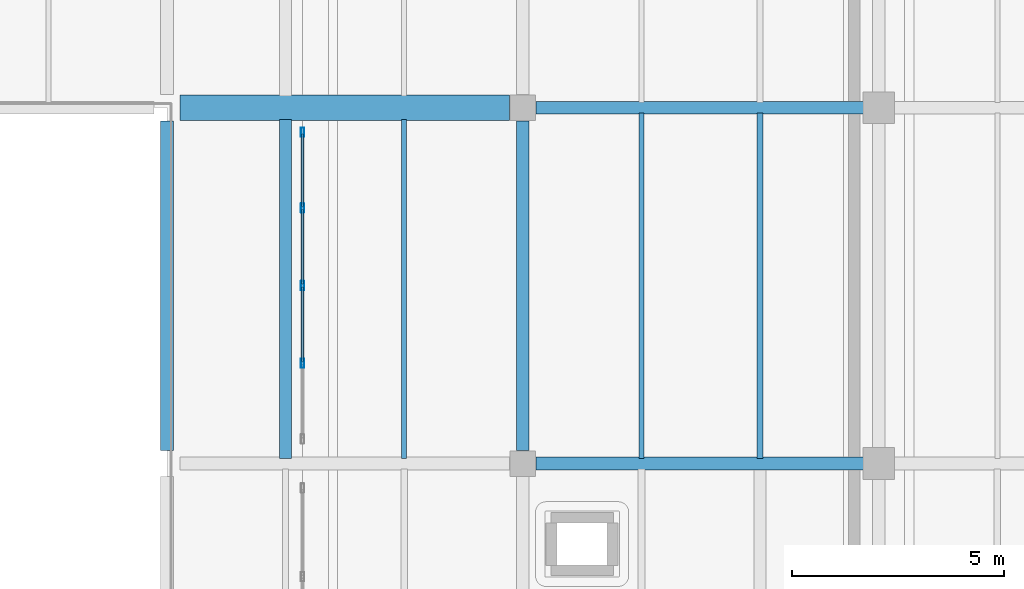
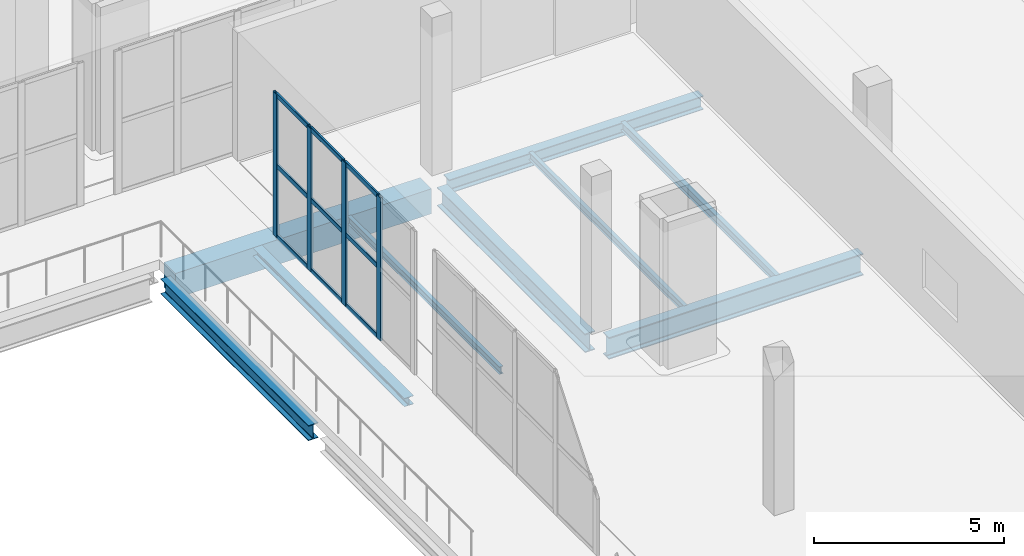
# One storey, part 31 of 77: 13 members, 9 beams, 1 element without a shape of its own.
"""IFC4 building model written with IfcOpenShell, lengths in metres."""

from ifc_helpers import new_model, si_unit, direction, frame, origin, origin_2d, place, context, subcontext, project, spatial, rectangle, hollow_rectangle, i_section, extrude, material, layer, layer_set, material_profile, profile_set, type_object, element, aggregate, save


model = new_model("IFC4")

# Units and contexts
model_context = context("Model", 3, precision=1e-05, world=origin(), true_north=direction((0.0, 1.0)))
body_context = subcontext(model_context, "Body", "Model", "MODEL_VIEW")
ifc_project = project(units=[si_unit("LENGTHUNIT", "METRE"), si_unit("AREAUNIT", "SQUARE_METRE"), si_unit("VOLUMEUNIT", "CUBIC_METRE"), si_unit("PLANEANGLEUNIT", "RADIAN"), si_unit("MASSUNIT", "GRAM", prefix="KILO")], contexts=[model_context])

# Site, building, storey
site_placement = place(None, origin())
site = spatial("IfcSite", under=ifc_project, at=site_placement, CompositionType="ELEMENT")
building_placement = place(site_placement, origin())
building = spatial("IfcBuilding", under=site, at=building_placement, Name="Zulmaris Art Gallery", CompositionType="ELEMENT")
storey_placement = place(building_placement, frame((0.0, 0.0, 15.60009765625)))
storey = spatial("IfcBuildingStorey", under=building, at=storey_placement, Name="L03", CompositionType="ELEMENT", Elevation=15.60009765625)

# Beams
ifc_material_1 = material(Name="Steel S355J2", Category="steel")
ifc_material_profile_1 = material_profile(ifc_material_1, i_section(OverallWidth=0.300048828125, OverallDepth=0.43994140625, WebThickness=0.011474609375, FlangeThickness=0.02099609375, FilletRadius=0.027099609375, at=origin_2d()), Name="HEA 450")
ifc_profile_set_1 = profile_set([ifc_material_profile_1], Name="Steel S355J2")
beam_type_1 = type_object("IfcBeamType", Name="BEAM-BM10", PredefinedType="BEAM", material=ifc_profile_set_1)
beam_1_placement = place(storey_placement, frame((133.510009765625, 58.800048828125, -0.6201171875), z_axis=(1.0, 0.0, 0.0), x_axis=(0.0, 1.0, 0.0)))
element("IfcBeam", 1, at=beam_1_placement, inside=storey, type_object=beam_type_1, Name="L03 X-girder (133.2..141.6, y=58.8)", PredefinedType="BEAM", context=body_context, shape_type="SweptSolid", body=[
    extrude(i_section(OverallWidth=0.300048828125, OverallDepth=0.43994140625, WebThickness=0.011474609375, FlangeThickness=0.02099609375, FilletRadius=0.027099609375, at=origin_2d()), origin(), (0.0, 0.0, 1.0), 7.72998046875),
])
ifc_material_profile_2 = material_profile(ifc_material_1, i_section(OverallWidth=0.300048828125, OverallDepth=0.489990234375, WebThickness=0.011962890625, FlangeThickness=0.02294921875, FilletRadius=0.027099609375, at=origin_2d()), Name="HEA 500")
ifc_profile_set_2 = profile_set([ifc_material_profile_2], Name="Steel S355J2")
beam_type_2 = type_object("IfcBeamType", Name="BEAM-BM11", PredefinedType="BEAM", material=ifc_profile_set_2)
beam_2_placement = place(storey_placement, frame((124.800048828125, 50.7099609375, -0.614990234375), z_axis=(0.0, 1.0, 0.0), x_axis=(-1.0, 0.0, 0.0)))
element("IfcBeam", 2, at=beam_2_placement, inside=storey, type_object=beam_type_2, Name="L03 Y-girder (x=124.8, 50.4..58.8)", PredefinedType="BEAM", context=body_context, shape_type="SweptSolid", body=[
    extrude(i_section(OverallWidth=0.300048828125, OverallDepth=0.489990234375, WebThickness=0.011962890625, FlangeThickness=0.02294921875, FilletRadius=0.027099609375, at=origin_2d()), origin(), (0.0, 0.0, 1.0), 7.780029296875),
])
ifc_material_profile_3 = material_profile(ifc_material_1, i_section(OverallWidth=0.300048828125, OverallDepth=0.60009765625, WebThickness=0.015380859375, FlangeThickness=0.030029296875, FilletRadius=0.027099609375, at=origin_2d()), Name="HEB 600")
ifc_profile_set_3 = profile_set([ifc_material_profile_3], Name="Steel S355J2")
beam_type_3 = type_object("IfcBeamType", Name="BEAM-BM15", PredefinedType="BEAM", material=ifc_profile_set_3)
beam_3_placement = place(storey_placement, frame((133.199951171875, 50.7099609375, -0.670166015625), z_axis=(0.0, 1.0, 0.0), x_axis=(-1.0, 0.0, 0.0)))
element("IfcBeam", 3, at=beam_3_placement, inside=storey, type_object=beam_type_3, Name="L03 Y-girder (x=133.2, 50.4..58.8)", PredefinedType="BEAM", context=body_context, shape_type="SweptSolid", body=[
    extrude(i_section(OverallWidth=0.300048828125, OverallDepth=0.60009765625, WebThickness=0.015380859375, FlangeThickness=0.030029296875, FilletRadius=0.027099609375, at=origin_2d()), origin(), (0.0, 0.0, 1.0), 7.780029296875),
])
ifc_material_profile_4 = material_profile(ifc_material_1, i_section(OverallWidth=0.300048828125, OverallDepth=0.699951171875, WebThickness=0.01708984375, FlangeThickness=0.031982421875, FilletRadius=0.027099609375, at=origin_2d()), Name="HEB 700")
ifc_profile_set_4 = profile_set([ifc_material_profile_4], Name="Steel S355J2")
beam_type_4 = type_object("IfcBeamType", Name="BEAM-BM16", PredefinedType="BEAM", material=ifc_profile_set_4)
beam_4_placement = place(storey_placement, frame((133.510009765625, 50.39990234375, -0.72021484375), z_axis=(1.0, 0.0, 0.0), x_axis=(0.0, 1.0, 0.0)))
element("IfcBeam", 4, at=beam_4_placement, inside=storey, type_object=beam_type_4, Name="L03 X-girder (133.2..141.6, y=50.4)", PredefinedType="BEAM", context=body_context, shape_type="SweptSolid", body=[
    extrude(i_section(OverallWidth=0.300048828125, OverallDepth=0.699951171875, WebThickness=0.01708984375, FlangeThickness=0.031982421875, FilletRadius=0.027099609375, at=origin_2d()), origin(), (0.0, 0.0, 1.0), 7.72998046875),
])
ifc_material_2 = material(Name="Concrete C40/50", Category="concrete")
ifc_material_profile_5 = material_profile(ifc_material_2, rectangle(XDim=0.60009765625, YDim=0.800048828125, at=origin_2d()), Name="RC 600x800")
ifc_profile_set_5 = profile_set([ifc_material_profile_5], Name="Concrete C40/50")
beam_type_5 = type_object("IfcBeamType", Name="BEAM-BM27", PredefinedType="BEAM", material=ifc_profile_set_5)
beam_5_placement = place(storey_placement, frame((125.110107421875, 58.800048828125, -0.77001953125), z_axis=(1.0, 0.0, 0.0), x_axis=(0.0, 1.0, 0.0)))
element("IfcBeam", 5, at=beam_5_placement, inside=storey, type_object=beam_type_5, Name="L03 X-girder (124.8..133.2, y=58.8)", PredefinedType="BEAM", context=body_context, shape_type="SweptSolid", body=[
    extrude(rectangle(XDim=0.60009765625, YDim=0.800048828125, at=origin_2d()), origin(), (0.0, 0.0, 1.0), 7.77978515625),
])
ifc_material_profile_6 = material_profile(ifc_material_1, i_section(OverallWidth=0.1201171875, OverallDepth=0.239990234375, WebThickness=0.006103515625, FlangeThickness=0.009765625, FilletRadius=0.014892578125, at=origin_2d()), Name="IPE 240")
ifc_profile_set_6 = profile_set([ifc_material_profile_6], Name="Steel S355J2")
beam_type_6 = type_object("IfcBeamType", Name="BEAM-JS01", PredefinedType="JOIST", material=ifc_profile_set_6)
beam_6_placement = place(storey_placement, frame((130.39990234375, 50.52490234375, -0.489990234375), z_axis=(0.0, 1.0, 0.0), x_axis=(-1.0, 0.0, 0.0)))
element("IfcBeam", 6, at=beam_6_placement, inside=storey, type_object=beam_type_6, Name="L03 secondary joist at x=130.4", PredefinedType="JOIST", context=body_context, shape_type="SweptSolid", body=[
    extrude(i_section(OverallWidth=0.1201171875, OverallDepth=0.239990234375, WebThickness=0.006103515625, FlangeThickness=0.009765625, FilletRadius=0.014892578125, at=origin_2d()), origin(), (0.0, 0.0, 1.0), 8.0),
])
beam_7_placement = place(storey_placement, frame((136.0, 50.52490234375, -0.489990234375), z_axis=(0.0, 1.0, 0.0), x_axis=(-1.0, 0.0, 0.0)))
element("IfcBeam", 7, at=beam_7_placement, inside=storey, type_object=beam_type_6, Name="L03 secondary joist at x=136.0", PredefinedType="JOIST", context=body_context, shape_type="SweptSolid", body=[
    extrude(i_section(OverallWidth=0.1201171875, OverallDepth=0.239990234375, WebThickness=0.006103515625, FlangeThickness=0.009765625, FilletRadius=0.014892578125, at=origin_2d()), origin(), (0.0, 0.0, 1.0), 8.150146484375),
])
ifc_material_profile_7 = material_profile(ifc_material_1, i_section(OverallWidth=0.135009765625, OverallDepth=0.27001953125, WebThickness=0.006591796875, FlangeThickness=0.01025390625, FilletRadius=0.014892578125, at=origin_2d()), Name="IPE 270")
ifc_profile_set_7 = profile_set([ifc_material_profile_7], Name="Steel S355J2")
beam_type_7 = type_object("IfcBeamType", Name="BEAM-JS02", PredefinedType="JOIST", material=ifc_profile_set_7)
beam_8_placement = place(storey_placement, frame((138.800048828125, 50.52490234375, -0.505126953125), z_axis=(0.0, 1.0, 0.0), x_axis=(-1.0, 0.0, 0.0)))
element("IfcBeam", 8, at=beam_8_placement, inside=storey, type_object=beam_type_7, Name="L03 secondary joist at x=138.8", PredefinedType="JOIST", context=body_context, shape_type="SweptSolid", body=[
    extrude(i_section(OverallWidth=0.135009765625, OverallDepth=0.27001953125, WebThickness=0.006591796875, FlangeThickness=0.01025390625, FilletRadius=0.014892578125, at=origin_2d()), origin(), (0.0, 0.0, 1.0), 8.150146484375),
])
ifc_material_profile_8 = material_profile(ifc_material_1, i_section(OverallWidth=0.280029296875, OverallDepth=0.27001953125, WebThickness=0.008056640625, FlangeThickness=0.012939453125, FilletRadius=0.02392578125, at=origin_2d()), Name="HEA 280")
ifc_profile_set_8 = profile_set([ifc_material_profile_8], Name="Steel S355J2")
beam_type_8 = type_object("IfcBeamType", Name="BEAM-JS04", PredefinedType="JOIST", material=ifc_profile_set_8)
beam_9_placement = place(storey_placement, frame((127.60009765625, 50.52490234375, -0.505126953125), z_axis=(0.0, 1.0, 0.0), x_axis=(-1.0, 0.0, 0.0)))
element("IfcBeam", 9, at=beam_9_placement, inside=storey, type_object=beam_type_8, Name="L03 secondary joist at x=127.6", PredefinedType="JOIST", context=body_context, shape_type="SweptSolid", body=[
    extrude(i_section(OverallWidth=0.280029296875, OverallDepth=0.27001953125, WebThickness=0.008056640625, FlangeThickness=0.012939453125, FilletRadius=0.02392578125, at=origin_2d()), origin(), (0.0, 0.0, 1.0), 8.0),
])

# Curtain wall, members
ifc_material_3 = material(Name="Unitised Low-E Gallery Curtain Wall", Category="aluminium")
ifc_layer = layer(ifc_material_3, 0.179931640625)
ifc_layer_set = layer_set([ifc_layer], Name="Unitised Low-E Gallery Curtain Wall")
curtain_wall_type = type_object("IfcCurtainWallType", Name="CW-CW01", PredefinedType="NOTDEFINED", material=ifc_layer_set)
curtain_wall_placement = place(storey_placement, origin())
curtain_wall = element("IfcCurtainWall", 10, at=curtain_wall_placement, inside=storey, type_object=curtain_wall_type, Name="L03 curtain wall 122", PredefinedType="NOTDEFINED")
ifc_material_4 = material(Name="Anodised Bronze Aluminium", Category="aluminium")
ifc_material_profile_9 = material_profile(ifc_material_4, hollow_rectangle(XDim=0.074951171875, YDim=0.219970703125, WallThickness=0.0048828125, InnerFilletRadius=0.007568359375, OuterFilletRadius=0.012451171875, at=origin_2d()), Name="ALU 75x220x5")
ifc_profile_set_9 = profile_set([ifc_material_profile_9], Name="Anodised Bronze Aluminium")
member_type_1 = type_object("IfcMemberType", Name="CWMUL-02", PredefinedType="MULLION", material=ifc_profile_set_9)
member_1_placement = place(storey_placement, frame((128.0, 52.77001953125, 0.0), z_axis=(0.0, 0.0, 1.0), x_axis=(-1.0, 0.0, 0.0)))
member_1 = element("IfcMember", 11, at=member_1_placement, type_object=member_type_1, Name="CW01 mullion 2", PredefinedType="MULLION", context=body_context, shape_type="SweptSolid", body=[
    extrude(hollow_rectangle(XDim=0.074951171875, YDim=0.219970703125, WallThickness=0.0048828125, InnerFilletRadius=0.007568359375, OuterFilletRadius=0.012451171875, at=origin_2d()), origin(), (0.0, 0.0, 1.0), 4.599853515625),
])
member_2_placement = place(storey_placement, frame((128.0, 54.60009765625, 0.0), z_axis=(0.0, 0.0, 1.0), x_axis=(-1.0, 0.0, 0.0)))
member_2 = element("IfcMember", 12, at=member_2_placement, type_object=member_type_1, Name="CW01 mullion 3", PredefinedType="MULLION", context=body_context, shape_type="SweptSolid", body=[
    extrude(hollow_rectangle(XDim=0.074951171875, YDim=0.219970703125, WallThickness=0.0048828125, InnerFilletRadius=0.007568359375, OuterFilletRadius=0.012451171875, at=origin_2d()), origin(), (0.0, 0.0, 1.0), 4.599853515625),
])
member_3_placement = place(storey_placement, frame((128.0, 56.429931640625, 0.0), z_axis=(0.0, 0.0, 1.0), x_axis=(-1.0, 0.0, 0.0)))
member_3 = element("IfcMember", 13, at=member_3_placement, type_object=member_type_1, Name="CW01 mullion 4", PredefinedType="MULLION", context=body_context, shape_type="SweptSolid", body=[
    extrude(hollow_rectangle(XDim=0.074951171875, YDim=0.219970703125, WallThickness=0.0048828125, InnerFilletRadius=0.007568359375, OuterFilletRadius=0.012451171875, at=origin_2d()), origin(), (0.0, 0.0, 1.0), 4.599853515625),
])
member_4_placement = place(storey_placement, frame((128.0, 58.222412109375, 0.0), z_axis=(0.0, 0.0, 1.0), x_axis=(-1.0, 0.0, 0.0)))
member_4 = element("IfcMember", 14, at=member_4_placement, type_object=member_type_1, Name="CW01 mullion 5", PredefinedType="MULLION", context=body_context, shape_type="SweptSolid", body=[
    extrude(hollow_rectangle(XDim=0.074951171875, YDim=0.219970703125, WallThickness=0.0048828125, InnerFilletRadius=0.007568359375, OuterFilletRadius=0.012451171875, at=origin_2d()), origin(), (0.0, 0.0, 1.0), 4.599853515625),
])
ifc_material_profile_10 = material_profile(ifc_material_4, hollow_rectangle(XDim=0.06494140625, YDim=0.14990234375, WallThickness=0.00390625, InnerFilletRadius=0.006103515625, OuterFilletRadius=0.010009765625, at=origin_2d()), Name="ALU 65x150x4")
ifc_profile_set_10 = profile_set([ifc_material_profile_10], Name="Anodised Bronze Aluminium")
member_type_2 = type_object("IfcMemberType", Name="CWTRN-01", PredefinedType="USERDEFINED", material=ifc_profile_set_10)
member_5_placement = place(storey_placement, frame((128.0, 52.8076171875, 0.037353515625), z_axis=(0.0, 1.0, 0.0), x_axis=(-1.0, 0.0, 0.0)))
member_5 = element("IfcMember", 15, at=member_5_placement, type_object=member_type_2, Name="CW01 transom 2.1", ObjectType="TRANSOM", PredefinedType="USERDEFINED", context=body_context, shape_type="SweptSolid", body=[
    extrude(hollow_rectangle(XDim=0.06494140625, YDim=0.14990234375, WallThickness=0.00390625, InnerFilletRadius=0.006103515625, OuterFilletRadius=0.010009765625, at=origin_2d()), origin(), (0.0, 0.0, 1.0), 1.7548828125),
])
member_6_placement = place(storey_placement, frame((128.0, 52.8076171875, 2.2998046875), z_axis=(0.0, 1.0, 0.0), x_axis=(-1.0, 0.0, 0.0)))
member_6 = element("IfcMember", 16, at=member_6_placement, type_object=member_type_2, Name="CW01 transom 2.2", ObjectType="TRANSOM", PredefinedType="USERDEFINED", context=body_context, shape_type="SweptSolid", body=[
    extrude(hollow_rectangle(XDim=0.06494140625, YDim=0.14990234375, WallThickness=0.00390625, InnerFilletRadius=0.006103515625, OuterFilletRadius=0.010009765625, at=origin_2d()), origin(), (0.0, 0.0, 1.0), 1.7548828125),
])
member_7_placement = place(storey_placement, frame((128.0, 52.8076171875, 4.5625), z_axis=(0.0, 1.0, 0.0), x_axis=(-1.0, 0.0, 0.0)))
member_7 = element("IfcMember", 17, at=member_7_placement, type_object=member_type_2, Name="CW01 transom 2.3", ObjectType="TRANSOM", PredefinedType="USERDEFINED", context=body_context, shape_type="SweptSolid", body=[
    extrude(hollow_rectangle(XDim=0.06494140625, YDim=0.14990234375, WallThickness=0.00390625, InnerFilletRadius=0.006103515625, OuterFilletRadius=0.010009765625, at=origin_2d()), origin(), (0.0, 0.0, 1.0), 1.7548828125),
])
member_8_placement = place(storey_placement, frame((128.0, 54.637451171875, 0.037353515625), z_axis=(0.0, 1.0, 0.0), x_axis=(-1.0, 0.0, 0.0)))
member_8 = element("IfcMember", 18, at=member_8_placement, type_object=member_type_2, Name="CW01 transom 3.1", ObjectType="TRANSOM", PredefinedType="USERDEFINED", context=body_context, shape_type="SweptSolid", body=[
    extrude(hollow_rectangle(XDim=0.06494140625, YDim=0.14990234375, WallThickness=0.00390625, InnerFilletRadius=0.006103515625, OuterFilletRadius=0.010009765625, at=origin_2d()), origin(), (0.0, 0.0, 1.0), 1.755126953125),
])
member_9_placement = place(storey_placement, frame((128.0, 54.637451171875, 2.2998046875), z_axis=(0.0, 1.0, 0.0), x_axis=(-1.0, 0.0, 0.0)))
member_9 = element("IfcMember", 19, at=member_9_placement, type_object=member_type_2, Name="CW01 transom 3.2", ObjectType="TRANSOM", PredefinedType="USERDEFINED", context=body_context, shape_type="SweptSolid", body=[
    extrude(hollow_rectangle(XDim=0.06494140625, YDim=0.14990234375, WallThickness=0.00390625, InnerFilletRadius=0.006103515625, OuterFilletRadius=0.010009765625, at=origin_2d()), origin(), (0.0, 0.0, 1.0), 1.755126953125),
])
member_10_placement = place(storey_placement, frame((128.0, 54.637451171875, 4.5625), z_axis=(0.0, 1.0, 0.0), x_axis=(-1.0, 0.0, 0.0)))
member_10 = element("IfcMember", 20, at=member_10_placement, type_object=member_type_2, Name="CW01 transom 3.3", ObjectType="TRANSOM", PredefinedType="USERDEFINED", context=body_context, shape_type="SweptSolid", body=[
    extrude(hollow_rectangle(XDim=0.06494140625, YDim=0.14990234375, WallThickness=0.00390625, InnerFilletRadius=0.006103515625, OuterFilletRadius=0.010009765625, at=origin_2d()), origin(), (0.0, 0.0, 1.0), 1.755126953125),
])
member_11_placement = place(storey_placement, frame((128.0, 56.467529296875, 0.037353515625), z_axis=(0.0, 1.0, 0.0), x_axis=(-1.0, 0.0, 0.0)))
member_11 = element("IfcMember", 21, at=member_11_placement, type_object=member_type_2, Name="CW01 transom 4.1", ObjectType="TRANSOM", PredefinedType="USERDEFINED", context=body_context, shape_type="SweptSolid", body=[
    extrude(hollow_rectangle(XDim=0.06494140625, YDim=0.14990234375, WallThickness=0.00390625, InnerFilletRadius=0.006103515625, OuterFilletRadius=0.010009765625, at=origin_2d()), origin(), (0.0, 0.0, 1.0), 1.717529296875),
])
member_12_placement = place(storey_placement, frame((128.0, 56.467529296875, 2.2998046875), z_axis=(0.0, 1.0, 0.0), x_axis=(-1.0, 0.0, 0.0)))
member_12 = element("IfcMember", 22, at=member_12_placement, type_object=member_type_2, Name="CW01 transom 4.2", ObjectType="TRANSOM", PredefinedType="USERDEFINED", context=body_context, shape_type="SweptSolid", body=[
    extrude(hollow_rectangle(XDim=0.06494140625, YDim=0.14990234375, WallThickness=0.00390625, InnerFilletRadius=0.006103515625, OuterFilletRadius=0.010009765625, at=origin_2d()), origin(), (0.0, 0.0, 1.0), 1.717529296875),
])
member_13_placement = place(storey_placement, frame((128.0, 56.467529296875, 4.5625), z_axis=(0.0, 1.0, 0.0), x_axis=(-1.0, 0.0, 0.0)))
member_13 = element("IfcMember", 23, at=member_13_placement, type_object=member_type_2, Name="CW01 transom 4.3", ObjectType="TRANSOM", PredefinedType="USERDEFINED", context=body_context, shape_type="SweptSolid", body=[
    extrude(hollow_rectangle(XDim=0.06494140625, YDim=0.14990234375, WallThickness=0.00390625, InnerFilletRadius=0.006103515625, OuterFilletRadius=0.010009765625, at=origin_2d()), origin(), (0.0, 0.0, 1.0), 1.717529296875),
])
aggregate(curtain_wall, [member_1, member_2, member_3, member_4, member_5, member_6, member_7, member_8, member_9, member_10, member_11, member_12, member_13])

save(model, "model.ifc")
